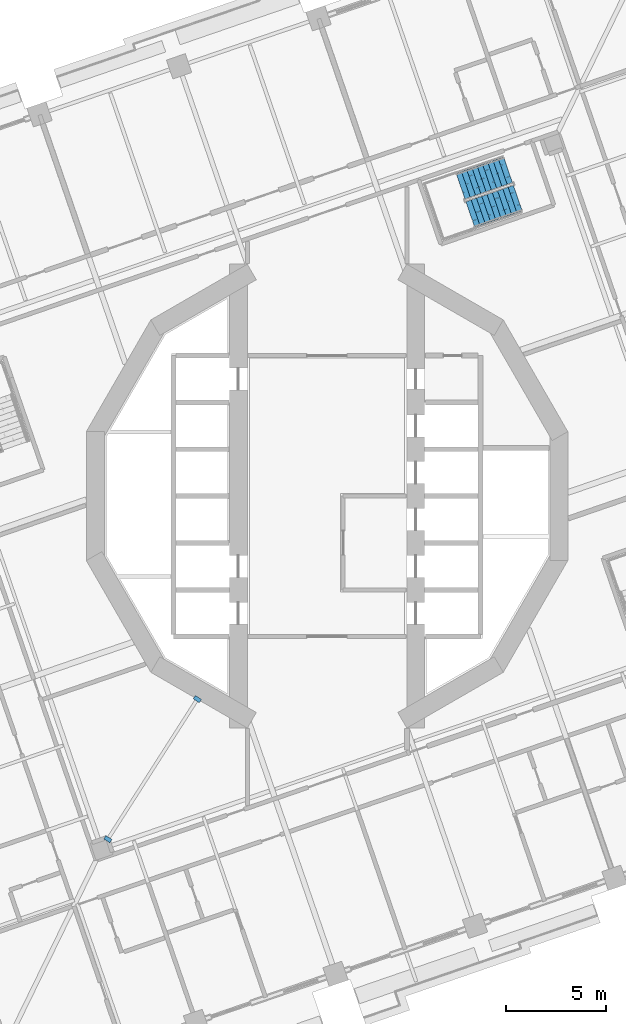
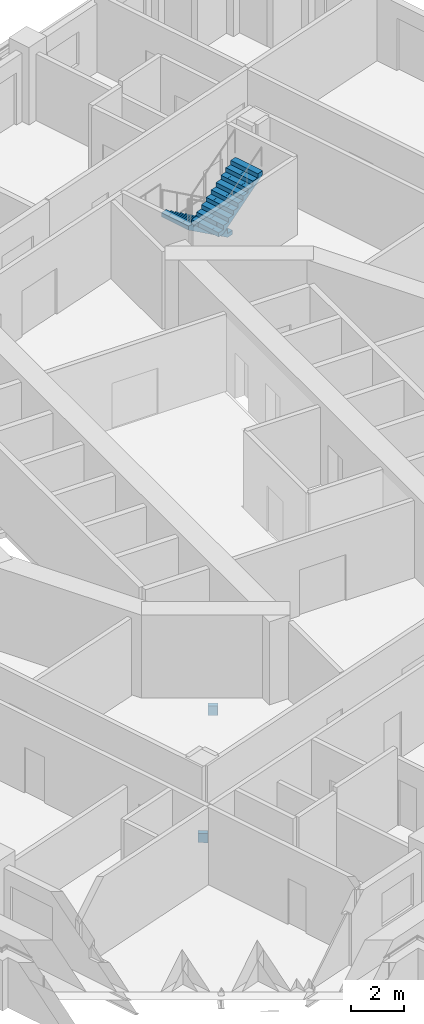
# One storey, part 11 of 18: 2 discrete accessories, 2 stair flights, 1 element without a shape of its own.
"""IFC4 building model written with IfcOpenShell, lengths in metres."""

from ifc_helpers import new_model, si_unit, direction, frame, origin, place, context, subcontext, project, spatial, polyline, outline, extrude, material, layer, layer_set, type_object, element, aggregate, save


model = new_model("IFC4")

# Units and contexts
model_context = context("Model", 3, precision=1e-05, world=origin(), true_north=direction((0.0, 1.0)))
body_context = subcontext(model_context, "Body", "Model", "MODEL_VIEW")
ifc_project = project(units=[si_unit("LENGTHUNIT", "METRE"), si_unit("AREAUNIT", "SQUARE_METRE"), si_unit("VOLUMEUNIT", "CUBIC_METRE"), si_unit("PLANEANGLEUNIT", "RADIAN"), si_unit("MASSUNIT", "GRAM", prefix="KILO")], contexts=[model_context])

# Site, building, storey
site_placement = place(None, origin())
site = spatial("IfcSite", under=ifc_project, at=site_placement, CompositionType="ELEMENT")
building_placement = place(site_placement, origin())
building = spatial("IfcBuilding", under=site, at=building_placement, Name="Cantera Rosa Tower", CompositionType="ELEMENT")
storey_placement = place(building_placement, frame((0.0, 0.0, 134.5)))
storey = spatial("IfcBuildingStorey", under=building, at=storey_placement, Name="L28", CompositionType="ELEMENT", Elevation=134.5)

# Stair, stair flights
ifc_material_1 = material(Name="Concrete C35/45", Category="concrete")
stair_type = type_object("IfcStairType", Name="EXIT STAIR 1350 DOGLEG", PredefinedType="HALF_TURN_STAIR", material=ifc_material_1)
stair_placement = place(storey_placement, origin())
stair = element("IfcStair", 1, at=stair_placement, inside=storey, type_object=stair_type, Name="L28 ST-21", PredefinedType="HALF_TURN_STAIR")
ifc_material_2 = material(Name="Concrete C35/45", Category="concrete")
stair_flight_type = type_object("IfcStairFlightType", Name="STAIR FLIGHT 1350 R20x190", PredefinedType="STRAIGHT", material=ifc_material_2)
stair_flight_1_placement = place(storey_placement, frame((9.07958984375, 16.364990234375, 0.0), z_axis=(0.0, 0.0, 1.0), x_axis=(-0.945518575599, -0.325568154457, 0.0)))
stair_flight_1 = element("IfcStairFlight", 2, at=stair_flight_1_placement, type_object=stair_flight_type, Name="ST-21 flight 1", NumberOfRisers=10, NumberOfTreads=9, PredefinedType="STRAIGHT", RiserHeight=0.19, TreadLength=0.28, context=body_context, shape_type="SweptSolid", body=[
    extrude(outline(polyline([(0.0, 0.0), (0.0, 0.18994140625), (0.280029296875, 0.18994140625), (0.280029296875, 0.3798828125), (0.56005859375, 0.3798828125), (0.56005859375, 0.570068359375), (0.840087890625, 0.570068359375), (0.840087890625, 0.760009765625), (1.1201171875, 0.760009765625), (1.1201171875, 0.949951171875), (1.39990234375, 0.949951171875), (1.39990234375, 1.139892578125), (1.679931640625, 1.139892578125), (1.679931640625, 1.330078125), (1.9599609375, 1.330078125), (1.9599609375, 1.52001953125), (2.239990234375, 1.52001953125), (2.239990234375, 1.7099609375), (2.52001953125, 1.7099609375), (2.52001953125, 1.89990234375), (2.52001953125, 1.52880859375), (0.266845703125, 0.0), (0.0, 0.0)])), frame((0.0, 0.675048828125, 0.0), z_axis=(0.0, -1.0, 0.0), x_axis=(1.0, 0.0, 0.0)), (0.0, 0.0, 1.0), 0.3359375),
    extrude(outline(polyline([(0.0, 0.0), (0.0, 0.18994140625), (0.280029296875, 0.18994140625), (0.280029296875, 0.3798828125), (0.56005859375, 0.3798828125), (0.56005859375, 0.570068359375), (0.840087890625, 0.570068359375), (0.840087890625, 0.760009765625), (1.1201171875, 0.760009765625), (1.1201171875, 0.949951171875), (1.39990234375, 0.949951171875), (1.39990234375, 1.139892578125), (1.679931640625, 1.139892578125), (1.679931640625, 1.330078125), (1.9599609375, 1.330078125), (1.9599609375, 1.52001953125), (2.239990234375, 1.52001953125), (2.239990234375, 1.7099609375), (2.52001953125, 1.7099609375), (2.52001953125, 1.89990234375), (2.52001953125, 1.52880859375), (0.266845703125, 0.0), (0.0, 0.0)])), frame((0.0, 0.337158203125, 0.0), z_axis=(0.0, -1.0, 0.0), x_axis=(1.0, 0.0, 0.0)), (0.0, 0.0, 1.0), 0.3359375),
    extrude(outline(polyline([(0.0, 0.0), (0.0, 0.18994140625), (0.280029296875, 0.18994140625), (0.280029296875, 0.3798828125), (0.56005859375, 0.3798828125), (0.56005859375, 0.570068359375), (0.840087890625, 0.570068359375), (0.840087890625, 0.760009765625), (1.1201171875, 0.760009765625), (1.1201171875, 0.949951171875), (1.39990234375, 0.949951171875), (1.39990234375, 1.139892578125), (1.679931640625, 1.139892578125), (1.679931640625, 1.330078125), (1.9599609375, 1.330078125), (1.9599609375, 1.52001953125), (2.239990234375, 1.52001953125), (2.239990234375, 1.7099609375), (2.52001953125, 1.7099609375), (2.52001953125, 1.89990234375), (2.52001953125, 1.52880859375), (0.266845703125, 0.0), (0.0, 0.0)])), frame((0.0, -0.000732421875, 0.0), z_axis=(0.0, -1.0, 0.0), x_axis=(1.0, 0.0, 0.0)), (0.0, 0.0, 1.0), 0.3359375),
    extrude(outline(polyline([(0.0, 0.0), (0.0, 0.18994140625), (0.280029296875, 0.18994140625), (0.280029296875, 0.3798828125), (0.56005859375, 0.3798828125), (0.56005859375, 0.570068359375), (0.840087890625, 0.570068359375), (0.840087890625, 0.760009765625), (1.1201171875, 0.760009765625), (1.1201171875, 0.949951171875), (1.39990234375, 0.949951171875), (1.39990234375, 1.139892578125), (1.679931640625, 1.139892578125), (1.679931640625, 1.330078125), (1.9599609375, 1.330078125), (1.9599609375, 1.52001953125), (2.239990234375, 1.52001953125), (2.239990234375, 1.7099609375), (2.52001953125, 1.7099609375), (2.52001953125, 1.89990234375), (2.52001953125, 1.52880859375), (0.266845703125, 0.0), (0.0, 0.0)])), frame((0.0, -0.338623046875, 0.0), z_axis=(0.0, -1.0, 0.0), x_axis=(1.0, 0.0, 0.0)), (0.0, 0.0, 1.0), 0.3359375),
])
stair_flight_2_placement = place(storey_placement, frame((7.185302734375, 14.126220703125, 1.89990234375), z_axis=(0.0, 0.0, 1.0), x_axis=(0.945518575599, 0.325568154457, 0.0)))
stair_flight_2 = element("IfcStairFlight", 3, at=stair_flight_2_placement, type_object=stair_flight_type, Name="ST-21 flight 2", NumberOfRisers=10, NumberOfTreads=9, PredefinedType="STRAIGHT", RiserHeight=0.19, TreadLength=0.28, context=body_context, shape_type="SweptSolid", body=[
    extrude(outline(polyline([(0.0, 0.0), (0.0, 0.18994140625), (0.280029296875, 0.18994140625), (0.280029296875, 0.3798828125), (0.56005859375, 0.3798828125), (0.56005859375, 0.570068359375), (0.840087890625, 0.570068359375), (0.840087890625, 0.760009765625), (1.1201171875, 0.760009765625), (1.1201171875, 0.949951171875), (1.39990234375, 0.949951171875), (1.39990234375, 1.139892578125), (1.679931640625, 1.139892578125), (1.679931640625, 1.330078125), (1.9599609375, 1.330078125), (1.9599609375, 1.52001953125), (2.239990234375, 1.52001953125), (2.239990234375, 1.7099609375), (2.52001953125, 1.7099609375), (2.52001953125, 1.89990234375), (2.52001953125, 1.52880859375), (0.266845703125, 0.0), (0.0, 0.0)])), frame((0.0, 0.675048828125, 0.0), z_axis=(0.0, -1.0, 0.0), x_axis=(1.0, 0.0, 0.0)), (0.0, 0.0, 1.0), 0.3359375),
    extrude(outline(polyline([(0.0, 0.0), (0.0, 0.18994140625), (0.280029296875, 0.18994140625), (0.280029296875, 0.3798828125), (0.56005859375, 0.3798828125), (0.56005859375, 0.570068359375), (0.840087890625, 0.570068359375), (0.840087890625, 0.760009765625), (1.1201171875, 0.760009765625), (1.1201171875, 0.949951171875), (1.39990234375, 0.949951171875), (1.39990234375, 1.139892578125), (1.679931640625, 1.139892578125), (1.679931640625, 1.330078125), (1.9599609375, 1.330078125), (1.9599609375, 1.52001953125), (2.239990234375, 1.52001953125), (2.239990234375, 1.7099609375), (2.52001953125, 1.7099609375), (2.52001953125, 1.89990234375), (2.52001953125, 1.52880859375), (0.266845703125, 0.0), (0.0, 0.0)])), frame((0.0, 0.337158203125, 0.0), z_axis=(0.0, -1.0, 0.0), x_axis=(1.0, 0.0, 0.0)), (0.0, 0.0, 1.0), 0.3359375),
    extrude(outline(polyline([(0.0, 0.0), (0.0, 0.18994140625), (0.280029296875, 0.18994140625), (0.280029296875, 0.3798828125), (0.56005859375, 0.3798828125), (0.56005859375, 0.570068359375), (0.840087890625, 0.570068359375), (0.840087890625, 0.760009765625), (1.1201171875, 0.760009765625), (1.1201171875, 0.949951171875), (1.39990234375, 0.949951171875), (1.39990234375, 1.139892578125), (1.679931640625, 1.139892578125), (1.679931640625, 1.330078125), (1.9599609375, 1.330078125), (1.9599609375, 1.52001953125), (2.239990234375, 1.52001953125), (2.239990234375, 1.7099609375), (2.52001953125, 1.7099609375), (2.52001953125, 1.89990234375), (2.52001953125, 1.52880859375), (0.266845703125, 0.0), (0.0, 0.0)])), frame((0.0, -0.000732421875, 0.0), z_axis=(0.0, -1.0, 0.0), x_axis=(1.0, 0.0, 0.0)), (0.0, 0.0, 1.0), 0.3359375),
    extrude(outline(polyline([(0.0, 0.0), (0.0, 0.18994140625), (0.280029296875, 0.18994140625), (0.280029296875, 0.3798828125), (0.56005859375, 0.3798828125), (0.56005859375, 0.570068359375), (0.840087890625, 0.570068359375), (0.840087890625, 0.760009765625), (1.1201171875, 0.760009765625), (1.1201171875, 0.949951171875), (1.39990234375, 0.949951171875), (1.39990234375, 1.139892578125), (1.679931640625, 1.139892578125), (1.679931640625, 1.330078125), (1.9599609375, 1.330078125), (1.9599609375, 1.52001953125), (2.239990234375, 1.52001953125), (2.239990234375, 1.7099609375), (2.52001953125, 1.7099609375), (2.52001953125, 1.89990234375), (2.52001953125, 1.52880859375), (0.266845703125, 0.0), (0.0, 0.0)])), frame((0.0, -0.338623046875, 0.0), z_axis=(0.0, -1.0, 0.0), x_axis=(1.0, 0.0, 0.0)), (0.0, 0.0, 1.0), 0.3359375),
])
aggregate(stair, [stair_flight_1, stair_flight_2])

# Discrete accessories
ifc_material_3 = material(Name="Steel ASTM A992 (Fy 345 MPa)", Category="steel")
ifc_layer = layer(ifc_material_3, 0.0400390625)
ifc_layer_set = layer_set([ifc_layer], Name="STEEL BEARING PLATE 40")
discrete_accessory_type = type_object("IfcDiscreteAccessoryType", Name="STEEL BEARING PLATE 40", PredefinedType="ANCHORPLATE", material=ifc_layer_set)
discrete_accessory_1_placement = place(storey_placement, frame((0.0, 0.0, -0.72802734375)))
element("IfcDiscreteAccessory", 4, at=discrete_accessory_1_placement, inside=storey, type_object=discrete_accessory_type, Name="BEARING PLATE PG-Z2-01 end 1 L28", PredefinedType="ANCHORPLATE", context=body_context, shape_type="SweptSolid", body=[
    extrude(outline(polyline([(-11.09619140625, -17.02783203125), (-11.203857421875, -17.1962890625), (-10.8955078125, -17.393310546875), (-10.787841796875, -17.224853515625), (-11.09619140625, -17.02783203125)])), origin(), (0.0, 0.0, 1.0), 0.427978515625),
])
discrete_accessory_2_placement = place(storey_placement, frame((0.0, 0.0, -0.72802734375)))
element("IfcDiscreteAccessory", 5, at=discrete_accessory_2_placement, inside=storey, type_object=discrete_accessory_type, Name="BEARING PLATE PG-Z2-01 end 2 L28", PredefinedType="ANCHORPLATE", context=body_context, shape_type="SweptSolid", body=[
    extrude(outline(polyline([(-6.40673828125, -10.367919921875), (-6.29931640625, -10.19921875), (-6.607666015625, -10.002197265625), (-6.71533203125, -10.170654296875), (-6.40673828125, -10.367919921875)])), origin(), (0.0, 0.0, 1.0), 0.427978515625),
])

save(model, "model.ifc")
